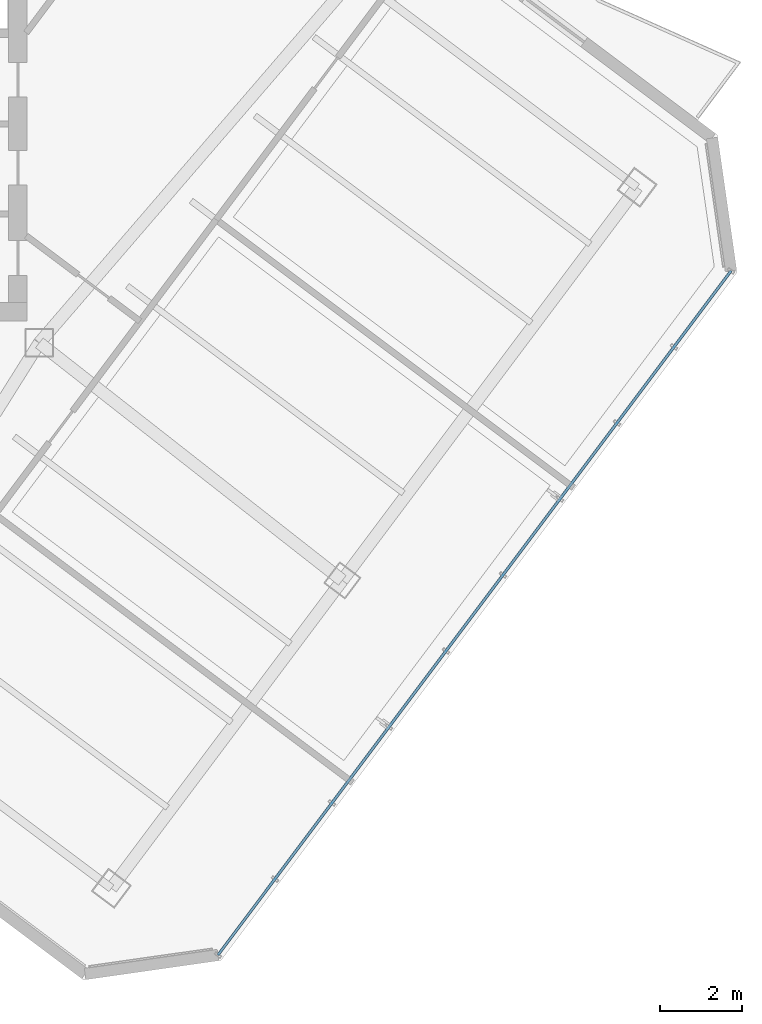
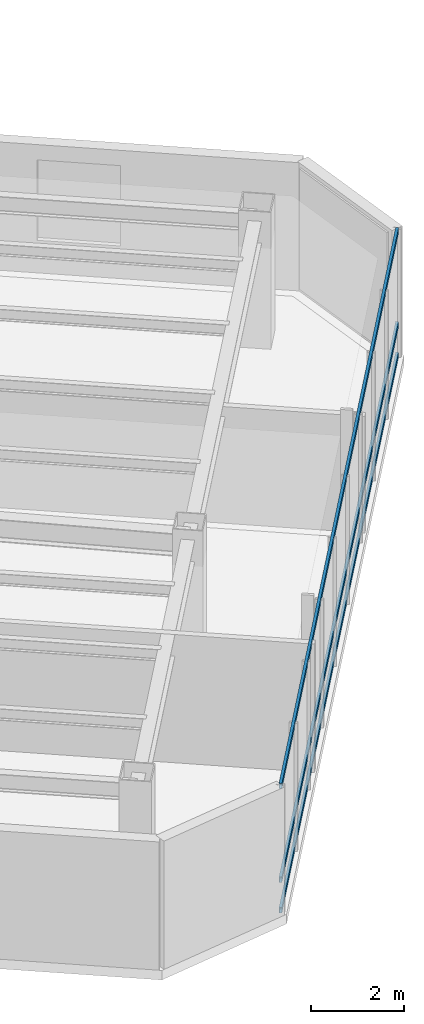
# One storey, part 12 of 26: 3 members, 1 element without a shape of its own.
"""IFC4 building model written with IfcOpenShell, lengths in metres."""

from ifc_helpers import new_model, si_unit, direction, frame, origin, origin_2d, place, context, subcontext, project, spatial, hollow_rectangle, extrude, material, layer, layer_set, material_profile, profile_set, type_object, element, aggregate, save


model = new_model("IFC4")

# Units and contexts
model_context = context("Model", 3, precision=1e-05, world=origin(), true_north=direction((0.0, 1.0)))
body_context = subcontext(model_context, "Body", "Model", "MODEL_VIEW")
ifc_project = project(units=[si_unit("LENGTHUNIT", "METRE"), si_unit("AREAUNIT", "SQUARE_METRE"), si_unit("VOLUMEUNIT", "CUBIC_METRE"), si_unit("PLANEANGLEUNIT", "RADIAN"), si_unit("MASSUNIT", "GRAM", prefix="KILO")], contexts=[model_context])

# Site, building, storey
site_placement = place(None, origin())
site = spatial("IfcSite", under=ifc_project, at=site_placement, CompositionType="ELEMENT")
building_placement = place(site_placement, origin())
building = spatial("IfcBuilding", under=site, at=building_placement, Name="Hatsunagi Terrace Concourse", CompositionType="ELEMENT")
storey_placement = place(building_placement, frame((0.0, 0.0, 227.550048828125)))
storey = spatial("IfcBuildingStorey", under=building, at=storey_placement, Name="L60", CompositionType="ELEMENT", Elevation=227.550048828125)

# Curtain wall, members
ifc_material_1 = material(Name="Anodised Aluminium Alloy 6063-T5", Category="aluminium")
ifc_layer = layer(ifc_material_1, 0.199951171875)
ifc_layer_set = layer_set([ifc_layer], Name="OfficeZone2_CW04")
curtain_wall_type = type_object("IfcCurtainWallType", Name="OfficeZone2_CW04", PredefinedType="NOTDEFINED", material=ifc_layer_set)
curtain_wall_placement = place(storey_placement, origin())
curtain_wall = element("IfcCurtainWall", 1, at=curtain_wall_placement, inside=storey, type_object=curtain_wall_type, Name="Unitised Curtain Wall CW-04 CW-L60-03", PredefinedType="NOTDEFINED")
ifc_material_2 = material(Name="Anodised Aluminium Alloy 6063-T5", Category="aluminium")
ifc_material_profile = material_profile(ifc_material_2, hollow_rectangle(XDim=0.06494140625, YDim=0.139892578125, WallThickness=0.00390625, at=origin_2d()), Name="ALU-TRN-140x65x4")
ifc_profile_set = profile_set([ifc_material_profile], Name="Anodised Aluminium Alloy 6063-T5")
member_type = type_object("IfcMemberType", Name="CurtainWallTransom_140x65", PredefinedType="USERDEFINED", material=ifc_profile_set)
member_1_placement = place(storey_placement, frame((60.693115234375, 25.9580078125, 0.050048828125), z_axis=(-0.599970072971, -0.800022444397, 0.0), x_axis=(0.800022444397, -0.599970072971, 0.0)))
member_1 = element("IfcMember", 2, at=member_1_placement, type_object=member_type, Name="Curtain Wall Transom TRN-02", ObjectType="TRANSOM", PredefinedType="USERDEFINED", context=body_context, shape_type="SweptSolid", body=[
    extrude(hollow_rectangle(XDim=0.06494140625, YDim=0.139892578125, WallThickness=0.00390625, at=origin_2d()), origin(), (0.0, 0.0, 1.0), 20.884521484375),
])
member_2_placement = place(storey_placement, frame((60.693115234375, 25.9580078125, 0.849853515625), z_axis=(-0.599970072971, -0.800022444397, 0.0), x_axis=(0.800022444397, -0.599970072971, 0.0)))
member_2 = element("IfcMember", 3, at=member_2_placement, type_object=member_type, Name="Curtain Wall Transom TRN-02", ObjectType="TRANSOM", PredefinedType="USERDEFINED", context=body_context, shape_type="SweptSolid", body=[
    extrude(hollow_rectangle(XDim=0.06494140625, YDim=0.139892578125, WallThickness=0.00390625, at=origin_2d()), origin(), (0.0, 0.0, 1.0), 20.884521484375),
])
member_3_placement = place(storey_placement, frame((60.693115234375, 25.9580078125, 3.300048828125), z_axis=(-0.599970072971, -0.800022444397, 0.0), x_axis=(0.800022444397, -0.599970072971, 0.0)))
member_3 = element("IfcMember", 4, at=member_3_placement, type_object=member_type, Name="Curtain Wall Transom TRN-02", ObjectType="TRANSOM", PredefinedType="USERDEFINED", context=body_context, shape_type="SweptSolid", body=[
    extrude(hollow_rectangle(XDim=0.06494140625, YDim=0.139892578125, WallThickness=0.00390625, at=origin_2d()), origin(), (0.0, 0.0, 1.0), 20.884521484375),
])
aggregate(curtain_wall, [member_1, member_2, member_3])

save(model, "model.ifc")
